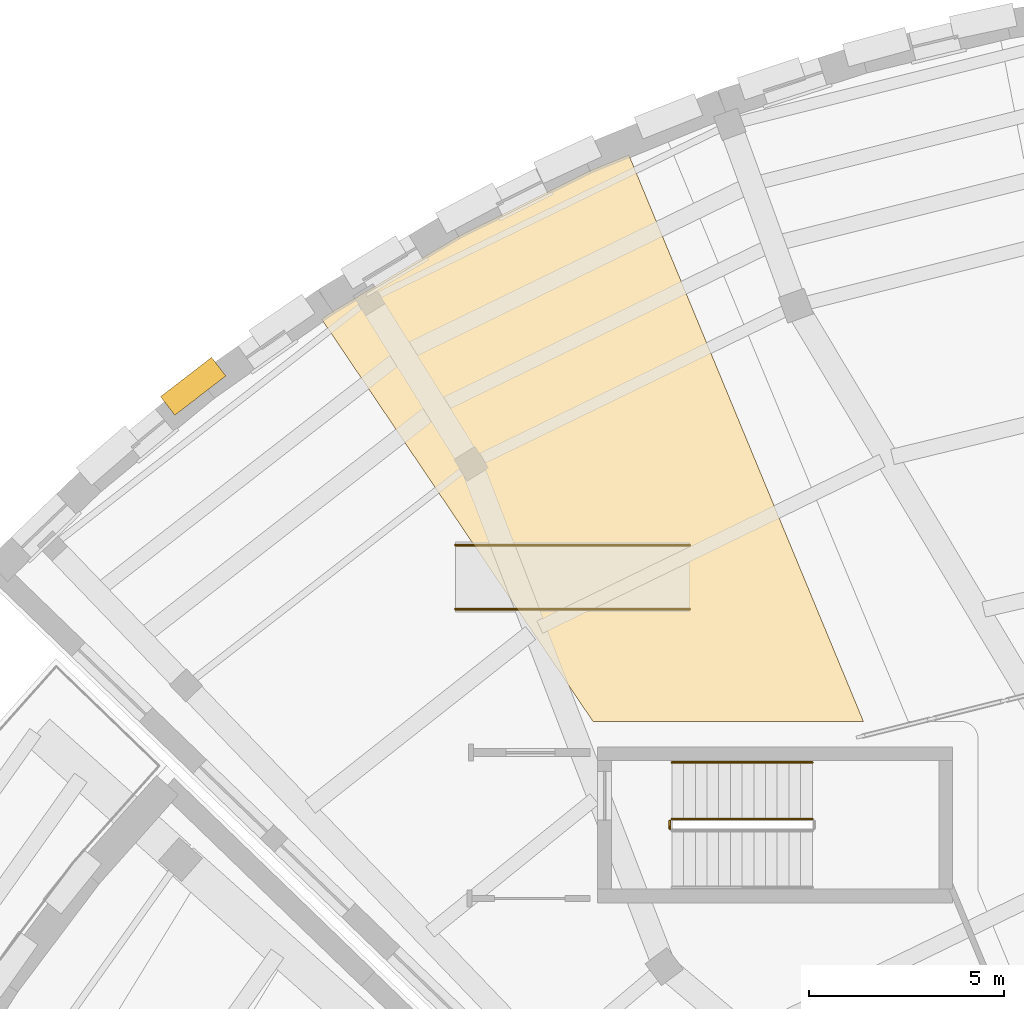
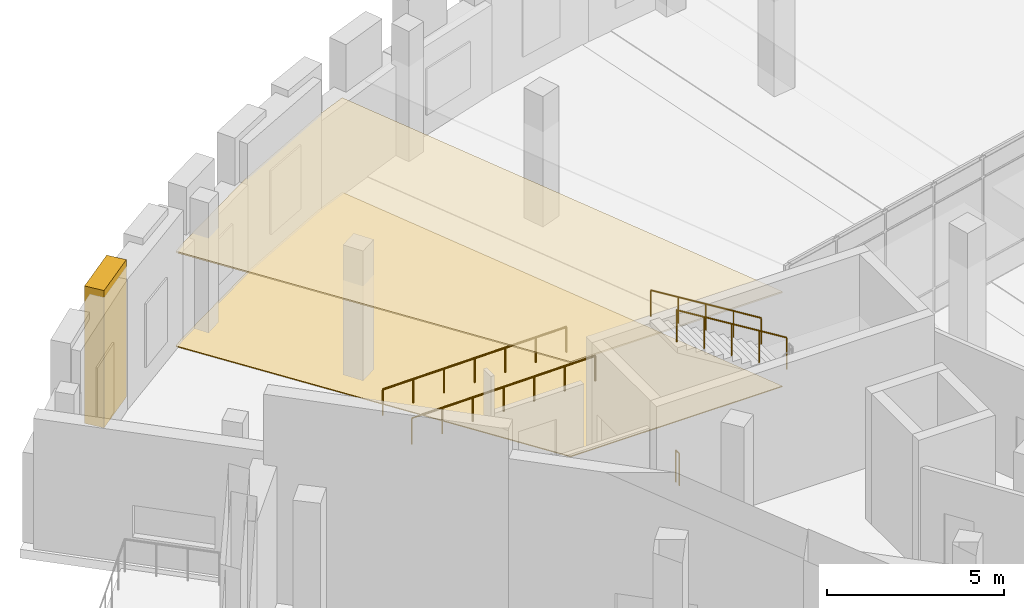
# One storey, part 67 of 75: 5 railings, 3 coverings.
"""IFC4 building model written with IfcOpenShell, lengths in metres."""

from ifc_helpers import new_model, si_unit, direction, frame, origin, origin_2d, place, context, subcontext, project, spatial, polyline, rectangle, circle, outline, extrude, material, layer, layer_set, type_object, element, save


model = new_model("IFC4")

# Units and contexts
model_context = context("Model", 3, precision=1e-05, world=origin(), true_north=direction((0.0, 1.0)))
body_context = subcontext(model_context, "Body", "Model", "MODEL_VIEW")
ifc_project = project(units=[si_unit("LENGTHUNIT", "METRE"), si_unit("AREAUNIT", "SQUARE_METRE"), si_unit("VOLUMEUNIT", "CUBIC_METRE"), si_unit("PLANEANGLEUNIT", "RADIAN"), si_unit("MASSUNIT", "GRAM", prefix="KILO")], contexts=[model_context])

# Site, building, storey
site_placement = place(None, origin())
site = spatial("IfcSite", under=ifc_project, at=site_placement, CompositionType="ELEMENT")
building_placement = place(site_placement, origin())
building = spatial("IfcBuilding", under=site, at=building_placement, Name="Soyqirgoq Riverine Aquarium", CompositionType="ELEMENT")
storey_placement = place(building_placement, frame((0.0, 0.0, 10.199951171875)))
storey = spatial("IfcBuildingStorey", under=building, at=storey_placement, Name="L03", CompositionType="ELEMENT", Elevation=10.199951171875)

# Covering
ifc_material_1 = material(Name="Perforated mineral-fibre acoustic ceiling", Category="gypsum")
ifc_layer_1 = layer(ifc_material_1, 0.050048828125)
ifc_layer_set_1 = layer_set([ifc_layer_1], Name="Perforated mineral-fibre acoustic ceiling")
covering_type_1 = type_object("IfcCoveringType", Name="AcousticBaffleCeiling_50", PredefinedType="CEILING", material=ifc_layer_set_1)
covering_1_placement = place(storey_placement, frame((0.0, 0.0, 3.25)))
element("IfcCovering", 1, at=covering_1_placement, inside=storey, type_object=covering_type_1, Name="Kreisel Bioluminescence Hall Suspended Ceiling", PredefinedType="CEILING", context=body_context, shape_type="SweptSolid", body=[
    extrude(outline(polyline([(28.85009765625, 98.806884765625), (32.0869140625, 100.739013671875), (35.4599609375, 102.4208984375), (36.446044921875, 102.822998046875), (42.4609375, 88.300048828125), (35.527099609375, 88.300048828125), (28.572021484375, 98.611083984375), (28.85009765625, 98.806884765625)])), origin(), (0.0, 0.0, 1.0), 0.050048828125),
])

# Railings
ifc_material_2 = material(Name="Brushed stainless steel 316L tubular handrail", Category="steel")
railing_type_1 = type_object("IfcRailingType", Name="StairPitchHandrail_920", PredefinedType="HANDRAIL", material=ifc_material_2)
railing_1_placement = place(storey_placement, frame((41.14990234375, 87.25, 2.584716796875)))
element("IfcRailing", 2, at=railing_1_placement, inside=storey, type_object=railing_type_1, Name="L03 ST-4 stair handrail 2", PredefinedType="HANDRAIL", context=body_context, shape_type="SweptSolid", body=[
    extrude(circle(Radius=0.02392578125, at=origin_2d()), frame((0.0, 0.0, 0.89990234375), z_axis=(-0.851654350407, 0.0, 0.524103870844), x_axis=(0.0, -1.0, 0.0)), (0.0, 0.0, 1.0), 4.226806640625),
    extrude(circle(Radius=0.02099609375, at=origin_2d()), origin(), (0.0, 0.0, 1.0), 0.875732421875),
    extrude(circle(Radius=0.02099609375, at=origin_2d()), frame((-0.89990234375, 0.0, 0.5537109375)), (0.0, 0.0, 1.0), 0.875732421875),
    extrude(circle(Radius=0.02099609375, at=origin_2d()), frame((-1.7998046875, 0.0, 1.107666015625)), (0.0, 0.0, 1.0), 0.875732421875),
    extrude(circle(Radius=0.02099609375, at=origin_2d()), frame((-2.699951171875, 0.0, 1.66162109375)), (0.0, 0.0, 1.0), 0.875732421875),
    extrude(circle(Radius=0.02099609375, at=origin_2d()), frame((-3.599853515625, 0.0, 2.21533203125)), (0.0, 0.0, 1.0), 0.875732421875),
])
for number, where, name in (
    (3, (32.0, 91.179931640625, -0.06005859375), "L03 Montane Stream Gallery Accessible Ramp Handrail S"),
    (4, (32.0, 92.820068359375, -0.06005859375), "L03 Montane Stream Gallery Accessible Ramp Handrail N"),
):
    element("IfcRailing", number, at=place(storey_placement, frame(where)), inside=storey, type_object=railing_type_1, Name=name, PredefinedType="HANDRAIL", context=body_context, shape_type="SweptSolid", body=[
        extrude(circle(Radius=0.02392578125, at=origin_2d()), frame((0.0, 0.0, 0.89599609375), z_axis=(0.99994990606, 0.0, 0.010009264196), x_axis=(0.0, 1.0, 0.0)), (0.0, 0.0, 1.0), 6.000244140625),
        extrude(circle(Radius=0.02099609375, at=origin_2d()), origin(), (0.0, 0.0, 1.0), 0.871826171875),
        extrude(circle(Radius=0.02099609375, at=origin_2d()), frame((1.0, 0.0, 0.010009765625)), (0.0, 0.0, 1.0), 0.871826171875),
        extrude(circle(Radius=0.02099609375, at=origin_2d()), frame((2.0, 0.0, 0.02001953125)), (0.0, 0.0, 1.0), 0.871826171875),
        extrude(circle(Radius=0.02099609375, at=origin_2d()), frame((3.0, 0.0, 0.030029296875)), (0.0, 0.0, 1.0), 0.871826171875),
        extrude(circle(Radius=0.02099609375, at=origin_2d()), frame((4.0, 0.0, 0.0400390625)), (0.0, 0.0, 1.0), 0.871826171875),
        extrude(circle(Radius=0.02099609375, at=origin_2d()), frame((5.0, 0.0, 0.050048828125)), (0.0, 0.0, 1.0), 0.871826171875),
        extrude(circle(Radius=0.02099609375, at=origin_2d()), frame((6.0, 0.0, 0.06005859375)), (0.0, 0.0, 1.0), 0.871826171875),
    ])
ifc_material_3 = material(Name="Painted steel infill stair-well guardrail", Category="steel")
railing_type_2 = type_object("IfcRailingType", Name="StairWellGuard_1120", PredefinedType="GUARDRAIL", material=ifc_material_3)
railing_2_placement = place(storey_placement, frame((41.14990234375, 85.800048828125, 2.584716796875)))
element("IfcRailing", 5, at=railing_2_placement, inside=storey, type_object=railing_type_2, Name="L03 ST-4 stair guard 3", PredefinedType="GUARDRAIL", context=body_context, shape_type="SweptSolid", body=[
    extrude(circle(Radius=0.02392578125, at=origin_2d()), frame((0.0, 0.0, 1.09619140625), z_axis=(-0.851654350407, 0.0, 0.524103870844), x_axis=(0.0, -1.0, 0.0)), (0.0, 0.0, 1.0), 4.226806640625),
    extrude(circle(Radius=0.02099609375, at=origin_2d()), origin(), (0.0, 0.0, 1.0), 1.072021484375),
    extrude(circle(Radius=0.02099609375, at=origin_2d()), frame((-0.89990234375, 0.0, 0.5537109375)), (0.0, 0.0, 1.0), 1.072021484375),
    extrude(circle(Radius=0.02099609375, at=origin_2d()), frame((-1.7998046875, 0.0, 1.107666015625)), (0.0, 0.0, 1.0), 1.072021484375),
    extrude(circle(Radius=0.02099609375, at=origin_2d()), frame((-2.699951171875, 0.0, 1.66162109375)), (0.0, 0.0, 1.0), 1.072021484375),
    extrude(circle(Radius=0.02099609375, at=origin_2d()), frame((-3.599853515625, 0.0, 2.21533203125)), (0.0, 0.0, 1.0), 1.072021484375),
])
railing_3_placement = place(storey_placement, frame((37.5, 85.550048828125, 0.0)))
element("IfcRailing", 6, at=railing_3_placement, inside=storey, type_object=railing_type_2, Name="L03 ST-4 stair guard 4", PredefinedType="GUARDRAIL", context=body_context, shape_type="SweptSolid", body=[
    extrude(circle(Radius=0.02392578125, at=origin_2d()), frame((0.0, 0.0, 1.09619140625), z_axis=(0.0, 1.0, 0.0), x_axis=(-1.0, 0.0, 0.0)), (0.0, 0.0, 1.0), 0.199951171875),
    extrude(circle(Radius=0.02099609375, at=origin_2d()), origin(), (0.0, 0.0, 1.0), 1.072021484375),
    extrude(circle(Radius=0.02099609375, at=origin_2d()), frame((0.0, 0.199951171875, 0.0)), (0.0, 0.0, 1.0), 1.072021484375),
])

# Coverings
ifc_material_4 = material(Name="Polished Chirchiq river-pebble terrazzo flooring", Category="concrete")
ifc_layer_2 = layer(ifc_material_4, 0.030029296875)
ifc_layer_set_2 = layer_set([ifc_layer_2], Name="Polished Chirchiq river-pebble terrazzo flooring")
covering_type_2 = type_object("IfcCoveringType", Name="TerrazzoFloorFinish_30", PredefinedType="FLOORING", material=ifc_layer_set_2)
covering_2_placement = place(storey_placement, origin())
element("IfcCovering", 7, at=covering_2_placement, inside=storey, type_object=covering_type_2, Name="Kreisel Bioluminescence Hall Floor Finish", PredefinedType="FLOORING", context=body_context, shape_type="SweptSolid", body=[
    extrude(outline(polyline([(28.85009765625, 98.806884765625), (32.0869140625, 100.739013671875), (35.4599609375, 102.4208984375), (36.446044921875, 102.822998046875), (42.4609375, 88.300048828125), (35.527099609375, 88.300048828125), (28.572021484375, 98.611083984375), (28.85009765625, 98.806884765625)])), origin(), (0.0, 0.0, 1.0), 0.030029296875),
])
ifc_material_5 = material(Name="Honed Uzbek travertine limestone vertical niche pier", Category="masonry")
covering_type_3 = type_object("IfcCoveringType", Name="TravertineNichePier_550", PredefinedType="CLADDING", material=ifc_material_5)
covering_3_placement = place(storey_placement, frame((25.279296875, 96.891845703125, 0.0), z_axis=(0.0, 0.0, 1.0), x_axis=(-0.610145163901, 0.792289643355, 0.0)))
element("IfcCovering", 8, at=covering_3_placement, inside=storey, type_object=covering_type_3, Name="V4 L03 Travertine Vertical Niche Pier 102", PredefinedType="CLADDING", context=body_context, shape_type="SweptSolid", body=[
    extrude(rectangle(XDim=0.60009765625, YDim=1.64990234375, at=origin_2d()), origin(), (0.0, 0.0, 1.0), 4.75),
])

save(model, "model.ifc")
